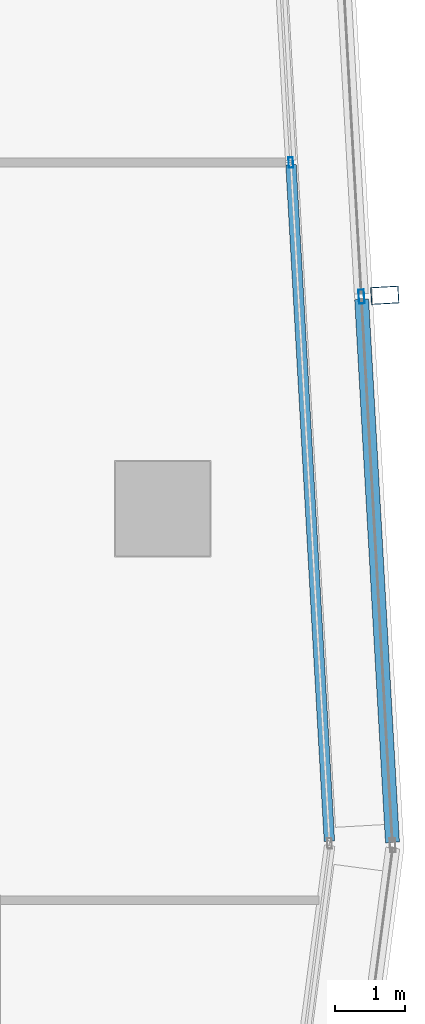
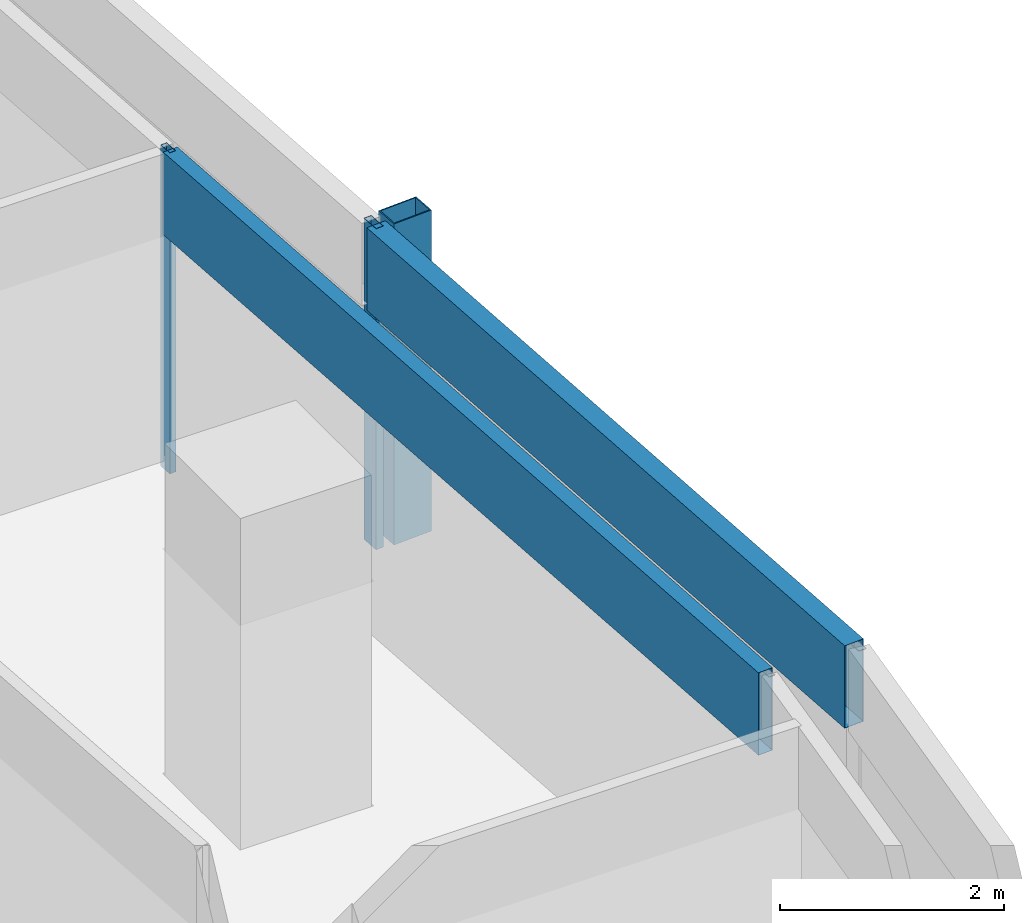
# One storey, part 14 of 40: 5 members, 2 elements without a shape of their own.
"""IFC4 building model written with IfcOpenShell, lengths in metres."""

import ifcopenshell
import ifcopenshell.guid

model = None  # the IFC model being written
_history = None  # IfcOwnerHistory: only IFC2X3 demands one
_inside = {}  # id of a spatial element -> (the spatial element, [elements in it])
_under = {}  # id of a project, library or spatial element -> (it, [spatial elements below it])
_declared = {}  # id of a project -> (the project, [libraries it declares])
_typed = {}  # id of a type object -> (the type object, [elements of that type])
_made_of = {}  # id of a material, layer set ... -> (it, [elements and type objects made of it])


def new_model(schema):
    """Start an empty IFC model of exactly this schema.

    Asked for "IFC4X3", IfcOpenShell would pick the latest addendum, in which some entities
    have other attributes; the version numbers below select the first issue.
    IFC2X3 requires an IfcOwnerHistory on every rooted entity: one is made here for all.
    """
    global model, _history
    if schema == "IFC4X3":
        model = ifcopenshell.file(schema_version=(4, 3, 0, 0))
    else:
        model = ifcopenshell.file(schema=schema)
    _inside.clear()
    _under.clear()
    _declared.clear()
    _typed.clear()
    _made_of.clear()
    _history = None
    if model.schema == "IFC2X3":
        org = make("IfcOrganization", Name="unknown")
        user = make(
            "IfcPersonAndOrganization",
            ThePerson=make("IfcPerson", FamilyName="unknown"),
            TheOrganization=org,
        )
        app = make(
            "IfcApplication",
            ApplicationDeveloper=org,
            Version="unknown",
            ApplicationFullName="unknown",
            ApplicationIdentifier="unknown",
        )
        _history = make(
            "IfcOwnerHistory",
            OwningUser=user,
            OwningApplication=app,
            ChangeAction="ADDED",
            CreationDate=0,
        )
    return model


def make(cls, **values):
    """One entity of the class cls with the attributes given. An attribute that is None is left unset."""
    return model.create_entity(
        cls, **{name: value for name, value in values.items() if value is not None}
    )


def rooted(cls, **values):
    """An entity with a GlobalId (a new one), such as an element, a storey or a relation."""
    return make(cls, GlobalId=ifcopenshell.guid.new(), OwnerHistory=_history, **values)


def si_unit(unit_type, name, prefix=None):
    """IfcSIUnit, for example si_unit("LENGTHUNIT", "METRE", prefix="MILLI")."""
    return make("IfcSIUnit", UnitType=unit_type, Prefix=prefix, Name=name)


def assignment(units):
    """IfcUnitAssignment: the units of a project."""
    return None if units is None else make("IfcUnitAssignment", Units=units)


def point(xyz):
    """IfcCartesianPoint."""
    return None if xyz is None else make("IfcCartesianPoint", Coordinates=xyz)


def direction(xyz):
    """IfcDirection."""
    return None if xyz is None else make("IfcDirection", DirectionRatios=xyz)


def frame(location, z_axis=None, x_axis=None):
    """IfcAxis2Placement3D, a coordinate frame: its origin and axes. An axis left out is left unset."""
    return make(
        "IfcAxis2Placement3D",
        Location=point(location),
        Axis=direction(z_axis),
        RefDirection=direction(x_axis),
    )


def frame_2d(location, x_axis=None):
    """IfcAxis2Placement2D, a coordinate frame in the plane: its origin and x axis."""
    return make(
        "IfcAxis2Placement2D", Location=point(location), RefDirection=direction(x_axis)
    )


def origin():
    """The frame at (0, 0, 0) with its axes left unset."""
    return frame((0.0, 0.0, 0.0))


def origin_2d():
    """The frame at (0, 0) in the plane with its x axis left unset."""
    return frame_2d((0.0, 0.0))


def place(relative_to, where):
    """IfcLocalPlacement: puts the frame where relative to a parent placement (None: the world)."""
    return make(
        "IfcLocalPlacement", PlacementRelTo=relative_to, RelativePlacement=where
    )


def context(
    kind, dimensions, precision=None, world=None, true_north=None, identifier=None
):
    """IfcGeometricRepresentationContext, for example the 3D "Model" context."""
    return make(
        "IfcGeometricRepresentationContext",
        ContextIdentifier=identifier,
        ContextType=kind,
        CoordinateSpaceDimension=dimensions,
        Precision=precision,
        WorldCoordinateSystem=world,
        TrueNorth=true_north,
    )


def subcontext(parent, identifier, kind, view, scale=None):
    """IfcGeometricRepresentationSubContext, for example "Body" below "Model"."""
    return make(
        "IfcGeometricRepresentationSubContext",
        ContextIdentifier=identifier,
        ContextType=kind,
        ParentContext=parent,
        TargetScale=scale,
        TargetView=view,
    )


def project(units=None, contexts=None):
    """IfcProject with its units and contexts."""
    return rooted(
        "IfcProject",
        Name="project",
        RepresentationContexts=contexts,
        UnitsInContext=assignment(units),
    )


def spatial(cls, under=None, at=None, **own):
    """A site, building, storey or space (cls), placed at a placement, below another one or the project."""
    s = rooted(cls, ObjectPlacement=at, **own)
    if under is not None:
        _under.setdefault(under.id(), (under, []))[1].append(s)
    return s


def profile(cls, at=None, kind="AREA", **sizes):
    """A parametric profile (cls). Its sizes go by their IFC names, for example OverallWidth=200.0."""
    return make(cls, ProfileType=kind, Position=at, **sizes)


def hollow_rectangle(**sizes):
    """IfcRectangleHollowProfileDef."""
    return profile("IfcRectangleHollowProfileDef", **sizes)


def extrude(swept, where, along, depth):
    """IfcExtrudedAreaSolid: the profile swept, set in the frame where, extruded along a direction by depth."""
    return make(
        "IfcExtrudedAreaSolid",
        SweptArea=swept,
        Position=where,
        ExtrudedDirection=direction(along),
        Depth=depth,
    )


def shape(context_of_items, identifier, shape_type, items):
    """IfcShapeRepresentation: the items that make up one representation, for example the "Body"."""
    return make(
        "IfcShapeRepresentation",
        ContextOfItems=context_of_items,
        RepresentationIdentifier=identifier,
        RepresentationType=shape_type,
        Items=items,
    )


def material(Name=None, Category=None):
    """IfcMaterial."""
    return make("IfcMaterial", Name=Name, Category=Category)


def material_profile(
    of_material, cross_section, Name=None, Category=None, Priority=None
):
    """IfcMaterialProfile: a cross section and its material."""
    return make(
        "IfcMaterialProfile",
        Name=Name,
        Material=of_material,
        Profile=cross_section,
        Priority=Priority,
        Category=Category,
    )


def profile_set(profiles, Name=None, composite=None):
    """IfcMaterialProfileSet."""
    return make(
        "IfcMaterialProfileSet",
        Name=Name,
        MaterialProfiles=profiles,
        CompositeProfile=composite,
    )


def made_of(thing, what):
    """Note that an element or type object is made of a material, layer set ...; save() writes the relation."""
    if what is not None:
        _made_of.setdefault(what.id(), (what, []))[1].append(thing)
    return thing


def type_object(cls, material=None, **own):
    """A type object (cls), such as IfcWallType, which elements share."""
    return made_of(rooted(cls, **own), material)


def element(
    cls,
    number,
    at=None,
    inside=None,
    cuts=None,
    type_object=None,
    material=None,
    context=None,
    identifier="Body",
    shape_type=None,
    held_by="IfcProductDefinitionShape",
    body=None,
    shapes=None,
    **own,
):
    """One element of the class cls, such as IfcWall. Its Tag is "e" and its number.

    at: its placement. inside: the storey or other place that contains it. cuts: it is an
    opening in that element (IfcRelVoidsElement). A single representation is given by context,
    identifier, shape_type and body (its items); several are given by shapes. held_by: the class
    of the entity that holds the representations. save() writes the other relations.
    """
    e = rooted(cls, Tag="e%d" % number, ObjectPlacement=at, **own)
    if body is not None:
        shapes = [shape(context, identifier, shape_type, body)]
    if shapes is not None:
        e.Representation = make(held_by, Representations=shapes)
    if inside is not None:
        _inside.setdefault(inside.id(), (inside, []))[1].append(e)
    if cuts is not None:
        rooted(
            "IfcRelVoidsElement", RelatingBuildingElement=cuts, RelatedOpeningElement=e
        )
    if type_object is not None:
        _typed.setdefault(type_object.id(), (type_object, []))[1].append(e)
    return made_of(e, material)


def aggregate(whole, parts):
    """IfcRelAggregates: a whole, such as a stair, and the parts it consists of."""
    return rooted("IfcRelAggregates", RelatingObject=whole, RelatedObjects=parts)


def save(model, path):
    """Write the relations noted so far, then the file.

    IfcRelAggregates (storeys below a building ...), IfcRelContainedInSpatialStructure (elements
    in a storey), IfcRelDefinesByType, IfcRelAssociatesMaterial and IfcRelDeclares: one each for
    every whole, place, type object, material and project.
    """
    for whole, parts in _under.values():
        aggregate(whole, parts)
    for where, things in _inside.values():
        rooted(
            "IfcRelContainedInSpatialStructure",
            RelatedElements=things,
            RelatingStructure=where,
        )
    for kind, things in _typed.values():
        rooted("IfcRelDefinesByType", RelatedObjects=things, RelatingType=kind)
    for what, things in _made_of.values():
        rooted("IfcRelAssociatesMaterial", RelatedObjects=things, RelatingMaterial=what)
    for by, libraries in _declared.values():
        rooted("IfcRelDeclares", RelatingContext=by, RelatedDefinitions=libraries)
    model.write(path)


model = new_model("IFC4")

# Units and contexts
model_context = context("Model", 3, precision=1e-05, world=origin(), true_north=direction((0.0, 1.0)))
body_context = subcontext(model_context, "Body", "Model", "MODEL_VIEW")
ifc_project = project(units=[si_unit("LENGTHUNIT", "METRE"), si_unit("AREAUNIT", "SQUARE_METRE"), si_unit("VOLUMEUNIT", "CUBIC_METRE"), si_unit("PLANEANGLEUNIT", "RADIAN"), si_unit("MASSUNIT", "GRAM", prefix="KILO")], contexts=[model_context])

# Site, building, storey
site_placement = place(None, origin())
site = spatial("IfcSite", under=ifc_project, at=site_placement, CompositionType="ELEMENT")
building_placement = place(site_placement, origin())
building = spatial("IfcBuilding", under=site, at=building_placement, Name="Rekha Terrace Tower", CompositionType="ELEMENT")
storey_placement = place(building_placement, frame((0.0, 0.0, 213.949951171875)))
storey = spatial("IfcBuildingStorey", under=building, at=storey_placement, Name="L54", CompositionType="ELEMENT", Elevation=213.949951171875)

# Curtain wall, member
ifc_material_1 = material(Name="Aluminium framing", Category="aluminium")
curtain_wall_type_1 = type_object("IfcCurtainWallType", Name="CW2 double skin outer glazing", PredefinedType="USERDEFINED", material=ifc_material_1)
curtain_wall_1_placement = place(storey_placement, origin())
curtain_wall_1 = element("IfcCurtainWall", 1, at=curtain_wall_1_placement, inside=storey, type_object=curtain_wall_type_1, Name="CW2 double skin outer glazing", ObjectType="DOUBLE SKIN OUTER GLAZING", PredefinedType="USERDEFINED")
ifc_material_2 = material(Name="Steel S355 with fluorocarbon finish", Category="steel")
ifc_material_profile_1 = material_profile(ifc_material_2, hollow_rectangle(XDim=0.25, YDim=0.39990234375, WallThickness=0.012451171875, at=origin_2d()), Name="RHS400x250x12.5")
ifc_profile_set_1 = profile_set([ifc_material_profile_1], Name="Steel S355 with fluorocarbon finish")
member_type_1 = type_object("IfcMemberType", Name="BL1 facade blade RHS 400 x 250", PredefinedType="USERDEFINED", material=ifc_profile_set_1)
member_1_placement = place(storey_placement, frame((61.975830078125, 36.65576171875, 0.0), z_axis=(0.0, 0.0, 1.0), x_axis=(-0.056673619809, 0.998392758797, 0.0)))
member_1 = element("IfcMember", 2, at=member_1_placement, type_object=member_type_1, Name="Facade blade", ObjectType="FACADE BLADE", PredefinedType="USERDEFINED", context=body_context, shape_type="SweptSolid", body=[
    extrude(hollow_rectangle(XDim=0.25, YDim=0.39990234375, WallThickness=0.012451171875, at=origin_2d()), origin(), (0.0, 0.0, 1.0), 3.5),
])

# Curtain wall, members
curtain_wall_type_2 = type_object("IfcCurtainWallType", Name="CW1 double skin inner glazing", PredefinedType="USERDEFINED", material=ifc_material_1)
curtain_wall_2_placement = place(storey_placement, origin())
curtain_wall_2 = element("IfcCurtainWall", 3, at=curtain_wall_2_placement, inside=storey, type_object=curtain_wall_type_2, Name="CW1 double skin inner glazing", ObjectType="DOUBLE SKIN INNER GLAZING", PredefinedType="USERDEFINED")
ifc_material_3 = material(Name="Aluminium mullion section", Category="aluminium")
ifc_material_profile_2 = material_profile(ifc_material_3, hollow_rectangle(XDim=0.06494140625, YDim=0.14990234375, WallThickness=0.00390625, at=origin_2d()), Name="AL RHS 65x150")
ifc_profile_set_2 = profile_set([ifc_material_profile_2], Name="Aluminium mullion section")
member_type_2 = type_object("IfcMemberType", Name="CW1 mullion RHS 65 x 150", PredefinedType="MULLION", material=ifc_profile_set_2)
member_2_placement = place(storey_placement, frame((60.631103515625, 38.555908203125, 0.0), z_axis=(0.0, 0.0, 1.0), x_axis=(-0.998392782919, -0.05667319486, 0.0)))
member_2 = element("IfcMember", 4, at=member_2_placement, type_object=member_type_2, Name="CW1 mullion 2", PredefinedType="MULLION", context=body_context, shape_type="SweptSolid", body=[
    extrude(hollow_rectangle(XDim=0.06494140625, YDim=0.14990234375, WallThickness=0.00390625, at=origin_2d()), origin(), (0.0, 0.0, 1.0), 3.5),
])
ifc_material_4 = material(Name="Insulated aluminium spandrel box", Category="aluminium")
ifc_material_profile_3 = material_profile(ifc_material_4, hollow_rectangle(XDim=0.14990234375, YDim=0.89990234375, WallThickness=0.0029296875, at=origin_2d()), Name="AL SPANDREL BOX 150x900")
ifc_profile_set_3 = profile_set([ifc_material_profile_3], Name="Insulated aluminium spandrel box")
member_type_3 = type_object("IfcMemberType", Name="CW1 spandrel transom 150 x 900", PredefinedType="USERDEFINED", material=ifc_profile_set_3)
member_3_placement = place(storey_placement, frame((61.182373046875, 28.8447265625, 3.050048828125), z_axis=(-0.056663932611, 0.998393308642, 0.0), x_axis=(-0.998393308642, -0.056663932611, 0.0)))
member_3 = element("IfcMember", 5, at=member_3_placement, type_object=member_type_3, Name="CW1 spandrel transom 1", ObjectType="TRANSOM", PredefinedType="USERDEFINED", context=body_context, shape_type="SweptSolid", body=[
    extrude(hollow_rectangle(XDim=0.14990234375, YDim=0.89990234375, WallThickness=0.0029296875, at=origin_2d()), origin(), (0.0, 0.0, 1.0), 9.6943359375),
])
aggregate(curtain_wall_2, [member_2, member_3])

# Member
ifc_material_profile_4 = material_profile(ifc_material_3, hollow_rectangle(XDim=0.080078125, YDim=0.199951171875, WallThickness=0.00390625, at=origin_2d()), Name="AL RHS 80x200")
ifc_profile_set_4 = profile_set([ifc_material_profile_4], Name="Aluminium mullion section")
member_type_4 = type_object("IfcMemberType", Name="CW2 mullion RHS 80 x 200", PredefinedType="MULLION", material=ifc_profile_set_4)
member_4_placement = place(storey_placement, frame((61.6416015625, 36.63671875, 0.0), z_axis=(0.0, 0.0, 1.0), x_axis=(-0.998392782919, -0.05667319486, 0.0)))
member_4 = element("IfcMember", 6, at=member_4_placement, type_object=member_type_4, Name="CW2 mullion 2", PredefinedType="MULLION", context=body_context, shape_type="SweptSolid", body=[
    extrude(hollow_rectangle(XDim=0.080078125, YDim=0.199951171875, WallThickness=0.00390625, at=origin_2d()), origin(), (0.0, 0.0, 1.0), 3.5),
])

ifc_material_profile_5 = material_profile(ifc_material_4, hollow_rectangle(XDim=0.199951171875, YDim=0.89990234375, WallThickness=0.0029296875, at=origin_2d()), Name="AL SPANDREL BOX 200x900")
ifc_profile_set_5 = profile_set([ifc_material_profile_5], Name="Insulated aluminium spandrel box")
member_type_5 = type_object("IfcMemberType", Name="CW2 spandrel transom 200 x 900", PredefinedType="USERDEFINED", material=ifc_profile_set_5)
member_5_placement = place(storey_placement, frame((62.0849609375, 28.825927734375, 3.050048828125), z_axis=(-0.05667908121, 0.998392448766, 0.0), x_axis=(-0.998392448766, -0.05667908121, 0.0)))
member_5 = element("IfcMember", 7, at=member_5_placement, type_object=member_type_5, Name="CW2 spandrel transom 1", ObjectType="TRANSOM", PredefinedType="USERDEFINED", context=body_context, shape_type="SweptSolid", body=[
    extrude(hollow_rectangle(XDim=0.199951171875, YDim=0.89990234375, WallThickness=0.0029296875, at=origin_2d()), origin(), (0.0, 0.0, 1.0), 7.783447265625),
])

aggregate(curtain_wall_1, [member_4, member_5, member_1])

save(model, "model.ifc")
